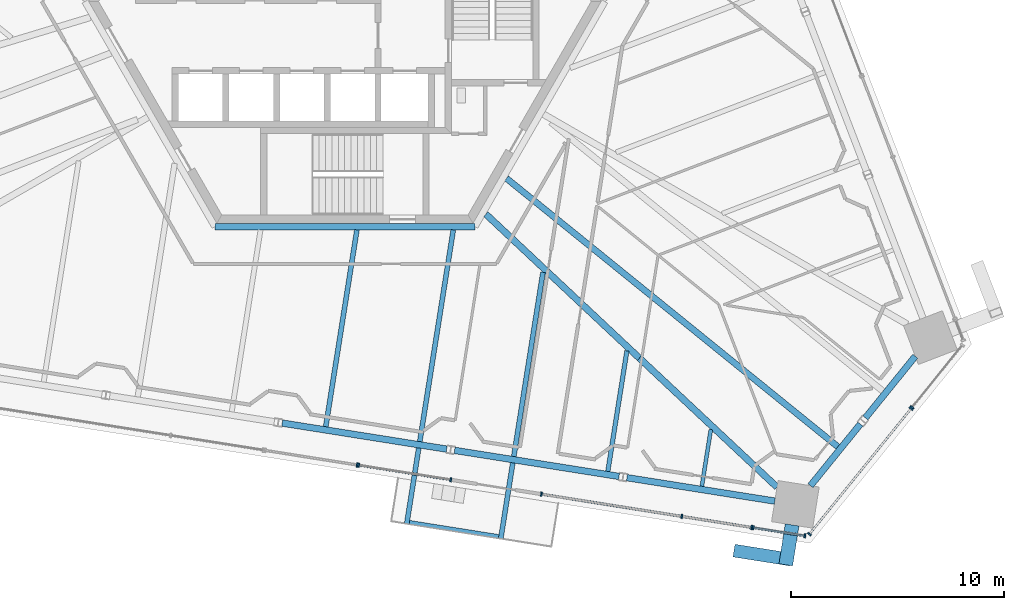
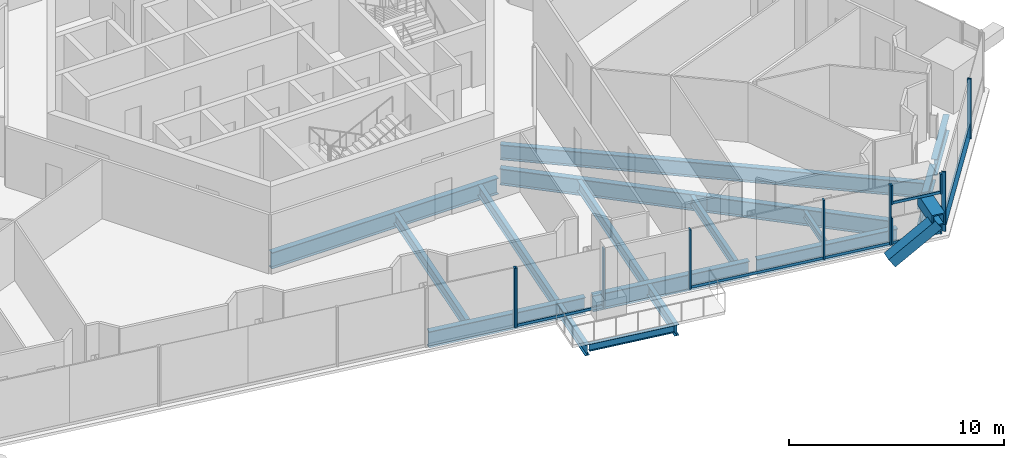
# One storey, part 6 of 23: 21 members, 17 beams, 7 elements without a shape of their own.
"""IFC4 building model written with IfcOpenShell, lengths in metres."""

from ifc_helpers import new_model, si_unit, direction, frame, origin, origin_2d, place, context, subcontext, project, spatial, rectangle, hollow_rectangle, i_section, extrude, source, transform, mapped, material, material_profile, profile_set, type_object, element, aggregate, save


model = new_model("IFC4")

# Units and contexts
model_context = context("Model", 3, precision=1e-05, world=origin(), true_north=direction((0.0, 1.0)))
body_context = subcontext(model_context, "Body", "Model", "MODEL_VIEW")
ifc_project = project(units=[si_unit("LENGTHUNIT", "METRE"), si_unit("AREAUNIT", "SQUARE_METRE"), si_unit("VOLUMEUNIT", "CUBIC_METRE"), si_unit("PLANEANGLEUNIT", "RADIAN"), si_unit("MASSUNIT", "GRAM", prefix="KILO")], contexts=[model_context])

# Site, building, storey
site_placement = place(None, origin())
site = spatial("IfcSite", under=ifc_project, at=site_placement, CompositionType="ELEMENT")
building_placement = place(site_placement, origin())
building = spatial("IfcBuilding", under=site, at=building_placement, Name="Triune Harvest Tower", CompositionType="ELEMENT")
storey_placement = place(building_placement, frame((0.0, 0.0, 171.300048828125)))
storey = spatial("IfcBuildingStorey", under=building, at=storey_placement, Name="L44", CompositionType="ELEMENT", Elevation=171.300048828125)

# Curtain wall, member
ifc_material_1 = material(Name="Aluminium bronze anodised", Category="aluminium")
curtain_wall_type_1 = type_object("IfcCurtainWallType", Name="CW-10 Balcony window wall with insulated spandrel infill", PredefinedType="NOTDEFINED", material=ifc_material_1)
curtain_wall_1_placement = place(storey_placement, origin())
curtain_wall_1 = element("IfcCurtainWall", 1, at=curtain_wall_1_placement, inside=storey, type_object=curtain_wall_type_1, Name="CW-10 B4-F5 L44 run 2")
ifc_material_2 = material(Name="Aluminium bronze anodised", Category="aluminium")
ifc_material_profile_1 = material_profile(ifc_material_2, rectangle(XDim=0.090087890625, YDim=0.14990234375, at=origin_2d()), Name="TR-6 transom 90 x 150")
ifc_profile_set_1 = profile_set([ifc_material_profile_1], Name="Aluminium bronze anodised")
member_type_1 = type_object("IfcMemberType", Name="TR-6 transom 90 x 150", PredefinedType="USERDEFINED", material=ifc_profile_set_1)
member_1_placement = place(storey_placement, frame((15.81689453125, -24.121826171875, 0.074951171875), z_axis=(0.987683894578, -0.156462533506, 0.0), x_axis=(0.156462533506, 0.987683894578, 0.0)))
member_1 = element("IfcMember", 2, at=member_1_placement, type_object=member_type_1, Name="CW-10 transom B4-F5 2.2", ObjectType="TRANSOM", PredefinedType="USERDEFINED", context=body_context, shape_type="SweptSolid", body=[
    extrude(rectangle(XDim=0.090087890625, YDim=0.14990234375, at=origin_2d()), origin(), (0.0, 0.0, 1.0), 3.234619140625),
])

# Beams
ifc_material_3 = material(Name="Steel ASTM A992 Gr 50", Category="steel")
ifc_material_profile_2 = material_profile(ifc_material_3, i_section(OverallWidth=0.3046875, OverallDepth=0.914306640625, WebThickness=0.0166015625, FlangeThickness=0.02587890625, at=origin_2d()), Name="W36x160")
ifc_profile_set_2 = profile_set([ifc_material_profile_2], Name="Steel ASTM A992 Gr 50")
beam_type_1 = type_object("IfcBeamType", Name="CG-1 Core ring girder W36x160", PredefinedType="BEAM", material=ifc_profile_set_2)
shared_shape_1 = source(origin(), body_context, "Body", "SweptSolid", [
    extrude(i_section(OverallWidth=0.3046875, OverallDepth=0.914306640625, WebThickness=0.0166015625, FlangeThickness=0.02587890625, at=origin_2d()), origin(), (0.0, 0.0, 1.0), 12.17578125),
])
beam_1_placement = place(storey_placement, frame((-6.087890625, -10.544677734375, -0.6171875), z_axis=(1.0, 0.0, 0.0), x_axis=(0.0, 1.0, 0.0)))
element("IfcBeam", 3, at=beam_1_placement, inside=storey, type_object=beam_type_1, Name="beam/L44/CG5", PredefinedType="BEAM", context=body_context, shape_type="MappedRepresentation", body=[
    mapped(shared_shape_1, transform((0.0, 0.0, 0.0), scale=1.0)),
])
ifc_material_4 = material(Name="Steel ASTM A992 Gr 50", Category="steel")
ifc_material_profile_3 = material_profile(ifc_material_4, i_section(OverallWidth=0.307373046875, OverallDepth=0.922119140625, WebThickness=0.018310546875, FlangeThickness=0.030029296875, at=origin_2d()), Name="W36x182")
ifc_profile_set_3 = profile_set([ifc_material_profile_3], Name="Steel ASTM A992 Gr 50")
beam_type_2 = type_object("IfcBeamType", Name="HG-2 Hip girder W36x182", PredefinedType="BEAM", material=ifc_profile_set_3)
shared_shape_2 = source(origin(), body_context, "Body", "SweptSolid", [
    extrude(i_section(OverallWidth=0.307373046875, OverallDepth=0.922119140625, WebThickness=0.018310546875, FlangeThickness=0.030029296875, at=origin_2d()), origin(), (0.0, 0.0, 1.0), 9.85888671875),
])
beam_2_placement = place(storey_placement, frame((13.794189453125, -16.702392578125, -0.62109375), z_axis=(-0.729486233367, 0.683995493646, 0.0), x_axis=(-0.683995493646, -0.729486233367, 0.0)))
element("IfcBeam", 4, at=beam_2_placement, inside=storey, type_object=beam_type_2, Name="beam/L44/HG8", PredefinedType="BEAM", context=body_context, shape_type="MappedRepresentation", body=[
    mapped(shared_shape_2, transform((0.0, 0.0, 0.0), scale=1.0)),
])
ifc_material_5 = material(Name="Steel ASTM A992 Gr 50", Category="steel")
ifc_material_profile_4 = material_profile(ifc_material_5, i_section(OverallWidth=0.3046875, OverallDepth=0.914306640625, WebThickness=0.0166015625, FlangeThickness=0.02587890625, at=origin_2d()), Name="W36x160")
ifc_profile_set_4 = profile_set([ifc_material_profile_4], Name="Steel ASTM A992 Gr 50")
beam_type_3 = type_object("IfcBeamType", Name="SB-1 Spandrel beam W36x160", PredefinedType="SPANDREL", material=ifc_profile_set_4)
shared_shape_3 = source(origin(), body_context, "Body", "SweptSolid", [
    extrude(i_section(OverallWidth=0.3046875, OverallDepth=0.914306640625, WebThickness=0.0166015625, FlangeThickness=0.02587890625, at=origin_2d()), origin(), (0.0, 0.0, 1.0), 7.013427734375),
])
beam_3_placement = place(storey_placement, frame((13.210205078125, -22.302978515625, -0.6171875), z_axis=(0.987687489289, -0.156439839878, 0.0), x_axis=(0.156439839878, 0.987687489289, 0.0)))
element("IfcBeam", 5, at=beam_3_placement, inside=storey, type_object=beam_type_3, Name="beam/L44/SB22", PredefinedType="SPANDREL", context=body_context, shape_type="MappedRepresentation", body=[
    mapped(shared_shape_3, transform((0.0, 0.0, 0.0), scale=1.0)),
])
shared_shape_4 = source(origin(), body_context, "Body", "SweptSolid", [
    extrude(i_section(OverallWidth=0.3046875, OverallDepth=0.914306640625, WebThickness=0.0166015625, FlangeThickness=0.02587890625, at=origin_2d()), origin(), (0.0, 0.0, 1.0), 3.71240234375),
])
beam_4_placement = place(storey_placement, frame((21.808837890625, -22.677734375, -0.6171875), z_axis=(0.629351453127, 0.777120806855, 0.0), x_axis=(-0.777120806855, 0.629351453127, 0.0)))
element("IfcBeam", 6, at=beam_4_placement, inside=storey, type_object=beam_type_3, Name="beam/L44/SB23", PredefinedType="SPANDREL", context=body_context, shape_type="MappedRepresentation", body=[
    mapped(shared_shape_4, transform((0.0, 0.0, 0.0), scale=1.0)),
])
shared_shape_5 = source(origin(), body_context, "Body", "SweptSolid", [
    extrude(i_section(OverallWidth=0.3046875, OverallDepth=0.914306640625, WebThickness=0.0166015625, FlangeThickness=0.02587890625, at=origin_2d()), origin(), (0.0, 0.0, 1.0), 7.801513671875),
])
beam_5_placement = place(storey_placement, frame((5.135986328125, -21.024169921875, -0.6171875), z_axis=(0.98768800071, -0.156436610974, 0.0), x_axis=(0.156436610974, 0.98768800071, 0.0)))
element("IfcBeam", 7, at=beam_5_placement, inside=storey, type_object=beam_type_3, Name="beam/L44/SB21", PredefinedType="SPANDREL", context=body_context, shape_type="MappedRepresentation", body=[
    mapped(shared_shape_5, transform((0.0, 0.0, 0.0), scale=1.0)),
])
shared_shape_6 = source(origin(), body_context, "Body", "SweptSolid", [
    extrude(i_section(OverallWidth=0.3046875, OverallDepth=0.914306640625, WebThickness=0.0166015625, FlangeThickness=0.02587890625, at=origin_2d()), origin(), (0.0, 0.0, 1.0), 3.712646484375),
])
beam_6_placement = place(storey_placement, frame((24.380126953125, -19.50244140625, -0.6171875), z_axis=(0.629319290748, 0.777146852462, 0.0), x_axis=(-0.777146852462, 0.629319290748, 0.0)))
element("IfcBeam", 8, at=beam_6_placement, inside=storey, type_object=beam_type_3, Name="beam/L44/SB24", PredefinedType="SPANDREL", context=body_context, shape_type="MappedRepresentation", body=[
    mapped(shared_shape_6, transform((0.0, 0.0, 0.0), scale=1.0)),
])
shared_shape_7 = source(origin(), body_context, "Body", "SweptSolid", [
    extrude(i_section(OverallWidth=0.3046875, OverallDepth=0.914306640625, WebThickness=0.0166015625, FlangeThickness=0.02587890625, at=origin_2d()), origin(), (0.0, 0.0, 1.0), 7.80126953125),
])
beam_7_placement = place(storey_placement, frame((-2.938232421875, -19.745361328125, -0.6171875), z_axis=(0.987687234845, -0.15644144631, 0.0), x_axis=(0.15644144631, 0.987687234845, 0.0)))
element("IfcBeam", 9, at=beam_7_placement, inside=storey, type_object=beam_type_3, Name="beam/L44/SB20", PredefinedType="SPANDREL", context=body_context, shape_type="MappedRepresentation", body=[
    mapped(shared_shape_7, transform((0.0, 0.0, 0.0), scale=1.0)),
])
shared_shape_8 = source(origin(), body_context, "Body", "SweptSolid", [
    extrude(i_section(OverallWidth=0.307373046875, OverallDepth=0.922119140625, WebThickness=0.018310546875, FlangeThickness=0.030029296875, at=origin_2d()), origin(), (0.0, 0.0, 1.0), 8.8369140625),
])
beam_8_placement = place(storey_placement, frame((20.24072265625, -22.746826171875, -0.62109375), z_axis=(-0.729491540387, 0.683989833626, 0.0), x_axis=(-0.683989833626, -0.729491540387, 0.0)))
element("IfcBeam", 10, at=beam_8_placement, inside=storey, type_object=beam_type_2, Name="beam/L44/HG7", PredefinedType="BEAM", context=body_context, shape_type="MappedRepresentation", body=[
    mapped(shared_shape_8, transform((0.0, 0.0, 0.0), scale=1.0)),
])
ifc_material_6 = material(Name="Steel ASTM A992 Gr 50", Category="steel")
ifc_material_profile_5 = material_profile(ifc_material_6, i_section(OverallWidth=0.2919921875, OverallDepth=0.8583984375, WebThickness=0.01708984375, FlangeThickness=0.031005859375, at=origin_2d()), Name="W33x169")
ifc_profile_set_5 = profile_set([ifc_material_profile_5], Name="Steel ASTM A992 Gr 50")
beam_type_4 = type_object("IfcBeamType", Name="JT-7 Floor joist W33x169", PredefinedType="JOIST", material=ifc_profile_set_5)
shared_shape_9 = source(origin(), body_context, "Body", "SweptSolid", [
    extrude(i_section(OverallWidth=0.2919921875, OverallDepth=0.8583984375, WebThickness=0.01708984375, FlangeThickness=0.031005859375, at=origin_2d()), origin(), (0.0, 0.0, 1.0), 19.97216796875),
])
beam_9_placement = place(storey_placement, frame((23.090087890625, -20.853515625, -0.58935546875), z_axis=(-0.777140102023, 0.629327626779, 0.0), x_axis=(-0.629327626779, -0.777140102023, 0.0)))
element("IfcBeam", 11, at=beam_9_placement, inside=storey, type_object=beam_type_4, Name="beam/L44/JT35", PredefinedType="JOIST", context=body_context, shape_type="MappedRepresentation", body=[
    mapped(shared_shape_9, transform((0.0, 0.0, 0.0), scale=1.0)),
])
ifc_material_7 = material(Name="Steel ASTM A992 Gr 50", Category="steel")
ifc_material_profile_6 = material_profile(ifc_material_7, i_section(OverallWidth=0.22900390625, OverallDepth=0.612060546875, WebThickness=0.011962890625, FlangeThickness=0.01953125, at=origin_2d()), Name="W24x84")
ifc_profile_set_6 = profile_set([ifc_material_profile_6], Name="Steel ASTM A992 Gr 50")
beam_type_5 = type_object("IfcBeamType", Name="JT-3 Floor joist W24x84", PredefinedType="JOIST", material=ifc_profile_set_6)
shared_shape_10 = source(origin(), body_context, "Body", "SweptSolid", [
    extrude(i_section(OverallWidth=0.22900390625, OverallDepth=0.612060546875, WebThickness=0.011962890625, FlangeThickness=0.01953125, at=origin_2d()), origin(), (0.0, 0.0, 1.0), 9.332275390625),
])
beam_10_placement = place(storey_placement, frame((-0.896728515625, -19.914306640625, -0.466064453125), z_axis=(0.156417974358, 0.987690952321, 0.0), x_axis=(-0.987690952321, 0.156417974358, 0.0)))
element("IfcBeam", 12, at=beam_10_placement, inside=storey, type_object=beam_type_5, Name="beam/L44/JT30", PredefinedType="JOIST", context=body_context, shape_type="MappedRepresentation", body=[
    mapped(shared_shape_10, transform((0.0, 0.0, 0.0), scale=1.0)),
])
shared_shape_11 = source(origin(), body_context, "Body", "SweptSolid", [
    extrude(i_section(OverallWidth=0.22900390625, OverallDepth=0.612060546875, WebThickness=0.011962890625, FlangeThickness=0.01953125, at=origin_2d()), origin(), (0.0, 0.0, 1.0), 10.03857421875),
])
beam_11_placement = place(storey_placement, frame((3.50732421875, -20.612060546875, -0.466064453125), z_axis=(0.156427136615, 0.987689501276, 0.0), x_axis=(-0.987689501276, 0.156427136615, 0.0)))
element("IfcBeam", 13, at=beam_11_placement, inside=storey, type_object=beam_type_5, Name="beam/L44/JT31", PredefinedType="JOIST", context=body_context, shape_type="MappedRepresentation", body=[
    mapped(shared_shape_11, transform((0.0, 0.0, 0.0), scale=1.0)),
])
shared_shape_12 = source(origin(), body_context, "Body", "SweptSolid", [
    extrude(i_section(OverallWidth=0.22900390625, OverallDepth=0.612060546875, WebThickness=0.011962890625, FlangeThickness=0.01953125, at=origin_2d()), origin(), (0.0, 0.0, 1.0), 8.73828125),
])
beam_12_placement = place(storey_placement, frame((7.91162109375, -21.3095703125, -0.466064453125), z_axis=(0.156433147227, 0.987688549315, 0.0), x_axis=(-0.987688549315, 0.156433147227, 0.0)))
element("IfcBeam", 14, at=beam_12_placement, inside=storey, type_object=beam_type_5, Name="beam/L44/JT32", PredefinedType="JOIST", context=body_context, shape_type="MappedRepresentation", body=[
    mapped(shared_shape_12, transform((0.0, 0.0, 0.0), scale=1.0)),
])
ifc_material_8 = material(Name="Steel ASTM A992 Gr 50", Category="steel")
ifc_material_profile_7 = material_profile(ifc_material_8, i_section(OverallWidth=0.2099609375, OverallDepth=0.535888671875, WebThickness=0.010986328125, FlangeThickness=0.017333984375, at=origin_2d()), Name="W21x68")
ifc_profile_set_7 = profile_set([ifc_material_profile_7], Name="Steel ASTM A992 Gr 50")
beam_type_6 = type_object("IfcBeamType", Name="JT-2 Floor joist W21x68", PredefinedType="JOIST", material=ifc_profile_set_7)
shared_shape_13 = source(origin(), body_context, "Body", "SweptSolid", [
    extrude(i_section(OverallWidth=0.2099609375, OverallDepth=0.535888671875, WebThickness=0.010986328125, FlangeThickness=0.017333984375, at=origin_2d()), origin(), (0.0, 0.0, 1.0), 5.712646484375),
])
beam_13_placement = place(storey_placement, frame((12.315673828125, -22.007080078125, -0.427978515625), z_axis=(0.156458528862, 0.98768452896, 0.0), x_axis=(-0.98768452896, 0.156458528862, 0.0)))
element("IfcBeam", 15, at=beam_13_placement, inside=storey, type_object=beam_type_6, Name="beam/L44/JT33", PredefinedType="JOIST", context=body_context, shape_type="MappedRepresentation", body=[
    mapped(shared_shape_13, transform((0.0, 0.0, 0.0), scale=1.0)),
])
ifc_material_9 = material(Name="Steel ASTM A992 Gr 50", Category="steel")
ifc_material_profile_8 = material_profile(ifc_material_9, i_section(OverallWidth=0.180908203125, OverallDepth=0.41650390625, WebThickness=0.010986328125, FlangeThickness=0.01806640625, at=origin_2d()), Name="W16x57")
ifc_profile_set_8 = profile_set([ifc_material_profile_8], Name="Steel ASTM A992 Gr 50")
beam_type_7 = type_object("IfcBeamType", Name="JT-1 Floor joist W16x57", PredefinedType="JOIST", material=ifc_profile_set_8)
shared_shape_14 = source(origin(), body_context, "Body", "SweptSolid", [
    extrude(i_section(OverallWidth=0.180908203125, OverallDepth=0.41650390625, WebThickness=0.010986328125, FlangeThickness=0.01806640625, at=origin_2d()), origin(), (0.0, 0.0, 1.0), 2.6875),
])
beam_14_placement = place(storey_placement, frame((16.719970703125, -22.70458984375, -0.368408203125), z_axis=(0.156438396813, 0.987687717856, 0.0), x_axis=(-0.987687717856, 0.156438396813, 0.0)))
element("IfcBeam", 16, at=beam_14_placement, inside=storey, type_object=beam_type_7, Name="beam/L44/JT34", PredefinedType="JOIST", context=body_context, shape_type="MappedRepresentation", body=[
    mapped(shared_shape_14, transform((0.0, 0.0, 0.0), scale=1.0)),
])

# Members
ifc_material_10 = material(Name="Steel ASTM A572 Gr 50", Category="steel")
ifc_material_profile_9 = material_profile(ifc_material_10, hollow_rectangle(XDim=0.60009765625, YDim=0.60009765625, WallThickness=0.0400390625, at=origin_2d()), Name="Box 600x600x40")
ifc_profile_set_9 = profile_set([ifc_material_profile_9], Name="Steel ASTM A572 Gr 50")
member_type_2 = type_object("IfcMemberType", Name="BR-2 Brace Box 600x600x40", PredefinedType="BRACE", material=ifc_profile_set_9)
shared_shape_15 = source(origin(), body_context, "Body", "SweptSolid", [
    extrude(hollow_rectangle(XDim=0.60009765625, YDim=0.60009765625, WallThickness=0.0400390625, at=origin_2d()), origin(), (0.0, 0.0, 1.0), 2.832763671875),
])
member_2_placement = place(storey_placement, frame((18.39404296875, -25.7451171875, 0.0), z_axis=(0.812349210694, -0.128669358324, 0.568799574642), x_axis=(0.156441443071, 0.987687235358, 0.0)))
element("IfcMember", 17, at=member_2_placement, inside=storey, type_object=member_type_2, Name="brace/B4-F5/d1/10", PredefinedType="BRACE", context=body_context, shape_type="MappedRepresentation", body=[
    mapped(shared_shape_15, transform((0.0, 0.0, 0.0), scale=1.0)),
])
ifc_material_11 = material(Name="Steel ASTM A572 Gr 50", Category="steel")
ifc_material_profile_10 = material_profile(ifc_material_11, hollow_rectangle(XDim=0.64990234375, YDim=0.64990234375, WallThickness=0.070068359375, at=origin_2d()), Name="Box 650x650x70")
ifc_profile_set_10 = profile_set([ifc_material_profile_10], Name="Steel ASTM A572 Gr 50")
member_type_3 = type_object("IfcMemberType", Name="BS-1 Brace stub Box 650x650x70", PredefinedType="STRUT", material=ifc_profile_set_10)
shared_shape_16 = source(origin(), body_context, "Body", "SweptSolid", [
    extrude(hollow_rectangle(XDim=0.64990234375, YDim=0.64990234375, WallThickness=0.070068359375, at=origin_2d()), origin(), (0.0, 0.0, 1.0), 1.8935546875),
])
member_3_placement = place(storey_placement, frame((20.94775390625, -24.515625, 1.875), z_axis=(-0.156386270058, -0.987695972725, 0.0), x_axis=(0.987695972725, -0.156386270058, 0.0)))
element("IfcMember", 18, at=member_3_placement, inside=storey, type_object=member_type_3, Name="brace/B4-F5/stub2", PredefinedType="STRUT", context=body_context, shape_type="MappedRepresentation", body=[
    mapped(shared_shape_16, transform((0.0, 0.0, 0.0), scale=1.0)),
])

# Beams
ifc_material_12 = material(Name="Steel ASTM A992 Gr 50", Category="steel")
ifc_material_profile_11 = material_profile(ifc_material_12, i_section(OverallWidth=0.22900390625, OverallDepth=0.612060546875, WebThickness=0.011962890625, FlangeThickness=0.01953125, at=origin_2d()), Name="W24x84")
ifc_profile_set_11 = profile_set([ifc_material_profile_11], Name="Steel ASTM A992 Gr 50")
beam_type_8 = type_object("IfcBeamType", Name="BJ-3 Balcony cantilever joist W24x84", PredefinedType="JOIST", material=ifc_profile_set_11)
shared_shape_17 = source(origin(), body_context, "Body", "SweptSolid", [
    extrude(i_section(OverallWidth=0.22900390625, OverallDepth=0.612060546875, WebThickness=0.011962890625, FlangeThickness=0.01953125, at=origin_2d()), origin(), (0.0, 0.0, 1.0), 3.59765625),
])
beam_15_placement = place(storey_placement, frame((7.864013671875, -21.610595703125, -0.466064453125), z_axis=(-0.156492249856, -0.987679186647, 0.0), x_axis=(0.987679186647, -0.156492249856, 0.0)))
element("IfcBeam", 19, at=beam_15_placement, inside=storey, type_object=beam_type_8, Name="Balcony cantilever joist B4-F5 L44.9a", PredefinedType="JOIST", context=body_context, shape_type="MappedRepresentation", body=[
    mapped(shared_shape_17, transform((0.0, 0.0, 0.0), scale=1.0)),
])
shared_shape_18 = source(origin(), body_context, "Body", "SweptSolid", [
    extrude(i_section(OverallWidth=0.22900390625, OverallDepth=0.612060546875, WebThickness=0.011962890625, FlangeThickness=0.01953125, at=origin_2d()), origin(), (0.0, 0.0, 1.0), 3.597412109375),
])
beam_16_placement = place(storey_placement, frame((3.459716796875, -20.9130859375, -0.466064453125), z_axis=(-0.156426047682, -0.987689673737, 0.0), x_axis=(0.987689673737, -0.156426047682, 0.0)))
element("IfcBeam", 20, at=beam_16_placement, inside=storey, type_object=beam_type_8, Name="Balcony cantilever joist B4-F5 L44.9b", PredefinedType="JOIST", context=body_context, shape_type="MappedRepresentation", body=[
    mapped(shared_shape_18, transform((0.0, 0.0, 0.0), scale=1.0)),
])

# Curtain wall, members
ifc_material_13 = material(Name="Aluminium bronze anodised", Category="aluminium")
curtain_wall_type_2 = type_object("IfcCurtainWallType", Name="CW-6 Balcony window wall", PredefinedType="NOTDEFINED", material=ifc_material_13)
curtain_wall_2_placement = place(storey_placement, origin())
curtain_wall_2 = element("IfcCurtainWall", 21, at=curtain_wall_2_placement, inside=storey, type_object=curtain_wall_type_2, Name="CW-6 B4-F5 L44 run 202")
ifc_material_14 = material(Name="Aluminium bronze anodised", Category="aluminium")
ifc_material_profile_12 = material_profile(ifc_material_14, rectangle(XDim=0.199951171875, YDim=0.074951171875, at=origin_2d()), Name="MU-6 mullion 75 x 200")
ifc_profile_set_12 = profile_set([ifc_material_profile_12], Name="Aluminium bronze anodised")
member_type_4 = type_object("IfcMemberType", Name="MU-6 mullion 75 x 200", PredefinedType="MULLION", material=ifc_profile_set_12)
shared_shape_19 = source(origin(), body_context, "Body", "SweptSolid", [
    extrude(rectangle(XDim=0.199951171875, YDim=0.074951171875, at=origin_2d()), origin(), (0.0, 0.0, 1.0), 1.114990234375),
])
member_4_placement = place(storey_placement, frame((19.123046875, -24.6455078125, 2.260009765625), z_axis=(0.0, 0.0, 1.0), x_axis=(0.156437248337, 0.98768789976, 0.0)))
member_4 = element("IfcMember", 22, at=member_4_placement, type_object=member_type_4, Name="CW-6 mullion B4-F5 202.1", PredefinedType="MULLION", context=body_context, shape_type="MappedRepresentation", body=[
    mapped(shared_shape_19, transform((0.0, 0.0, 0.0), scale=1.0)),
])
member_5_placement = place(storey_placement, frame((21.549072265625, -25.02978515625, 2.260009765625), z_axis=(0.0, 0.0, 1.0), x_axis=(0.156437248337, 0.98768789976, 0.0)))
member_5 = element("IfcMember", 23, at=member_5_placement, type_object=member_type_4, Name="CW-6 mullion B4-F5 202.2", PredefinedType="MULLION", context=body_context, shape_type="MappedRepresentation", body=[
    mapped(shared_shape_19, transform((0.0, 0.0, 0.0), scale=1.0)),
])

# Beam
ifc_material_15 = material(Name="Steel ASTM A992 Gr 50", Category="steel")
ifc_material_profile_13 = material_profile(ifc_material_15, i_section(OverallWidth=0.180908203125, OverallDepth=0.41650390625, WebThickness=0.010986328125, FlangeThickness=0.01806640625, at=origin_2d()), Name="W16x57")
ifc_profile_set_13 = profile_set([ifc_material_profile_13], Name="Steel ASTM A992 Gr 50")
beam_type_9 = type_object("IfcBeamType", Name="BE-1 balcony edge beam W16x57", PredefinedType="BEAM", material=ifc_profile_set_13)
shared_shape_20 = source(origin(), body_context, "Body", "SweptSolid", [
    extrude(i_section(OverallWidth=0.180908203125, OverallDepth=0.41650390625, WebThickness=0.010986328125, FlangeThickness=0.01806640625, at=origin_2d()), origin(), (0.0, 0.0, 1.0), 4.229736328125),
])
beam_17_placement = place(storey_placement, frame((3.0244140625, -24.39501953125, -0.368408203125), z_axis=(0.987690788876, -0.15641900642, 0.0), x_axis=(0.15641900642, 0.987690788876, 0.0)))
element("IfcBeam", 24, at=beam_17_placement, inside=storey, type_object=beam_type_9, Name="Balcony edge beam B4-F5 L44.9", PredefinedType="BEAM", context=body_context, shape_type="MappedRepresentation", body=[
    mapped(shared_shape_20, transform((0.0, 0.0, 0.0), scale=1.0)),
])

# Curtain wall, members
curtain_wall_3_placement = place(storey_placement, origin())
curtain_wall_3 = element("IfcCurtainWall", 25, at=curtain_wall_3_placement, inside=storey, type_object=curtain_wall_type_1, Name="CW-10 B4-F5 L44 run 102")
shared_shape_21 = source(origin(), body_context, "Body", "SweptSolid", [
    extrude(rectangle(XDim=0.199951171875, YDim=0.074951171875, at=origin_2d()), origin(), (0.0, 0.0, 1.0), 1.489990234375),
])
member_6_placement = place(storey_placement, frame((19.123046875, -24.6455078125, 0.0), z_axis=(0.0, 0.0, 1.0), x_axis=(0.156437248337, 0.98768789976, 0.0)))
member_6 = element("IfcMember", 26, at=member_6_placement, type_object=member_type_4, Name="CW-10 mullion B4-F5 102.1", PredefinedType="MULLION", context=body_context, shape_type="MappedRepresentation", body=[
    mapped(shared_shape_21, transform((0.0, 0.0, 0.0), scale=1.0)),
])
member_7_placement = place(storey_placement, frame((21.549072265625, -25.02978515625, 0.0), z_axis=(0.0, 0.0, 1.0), x_axis=(0.156437248337, 0.98768789976, 0.0)))
member_7 = element("IfcMember", 27, at=member_7_placement, type_object=member_type_4, Name="CW-10 mullion B4-F5 102.2", PredefinedType="MULLION", context=body_context, shape_type="MappedRepresentation", body=[
    mapped(shared_shape_21, transform((0.0, 0.0, 0.0), scale=1.0)),
])

# Curtain wall, member
curtain_wall_4_placement = place(storey_placement, origin())
curtain_wall_4 = element("IfcCurtainWall", 28, at=curtain_wall_4_placement, inside=storey, type_object=curtain_wall_type_1, Name="CW-10 B4-F5 L44 run 2201")
shared_shape_22 = source(origin(), body_context, "Body", "SweptSolid", [
    extrude(rectangle(XDim=0.199951171875, YDim=0.074951171875, at=origin_2d()), origin(), (0.0, 0.0, 1.0), 3.375),
])
member_8_placement = place(storey_placement, frame((0.572998046875, -21.70751953125, 0.0), z_axis=(0.0, 0.0, 1.0), x_axis=(0.156422547734, 0.987690228037, 0.0)))
member_8 = element("IfcMember", 29, at=member_8_placement, type_object=member_type_4, Name="CW-10 mullion B4-F5 2201.2", PredefinedType="MULLION", context=body_context, shape_type="MappedRepresentation", body=[
    mapped(shared_shape_22, transform((0.0, 0.0, 0.0), scale=1.0)),
])
aggregate(curtain_wall_4, [member_8])

# Curtain wall, members
curtain_wall_5_placement = place(storey_placement, origin())
curtain_wall_5 = element("IfcCurtainWall", 30, at=curtain_wall_5_placement, inside=storey, type_object=curtain_wall_type_2, Name="CW-6 B4-F5 L44 run 3201")
member_9_placement = place(storey_placement, frame((0.64697265625, -21.71923828125, 0.0), z_axis=(0.0, 0.0, 1.0), x_axis=(0.156447981545, 0.987686199696, 0.0)))
member_9 = element("IfcMember", 31, at=member_9_placement, type_object=member_type_4, Name="CW-6 mullion B4-F5 3201.1", PredefinedType="MULLION", context=body_context, shape_type="MappedRepresentation", body=[
    mapped(shared_shape_22, transform((0.0, 0.0, 0.0), scale=1.0)),
])
member_10_placement = place(storey_placement, frame((4.961181640625, -22.402587890625, 0.0), z_axis=(0.0, 0.0, 1.0), x_axis=(0.156447981545, 0.987686199696, 0.0)))
member_10 = element("IfcMember", 32, at=member_10_placement, type_object=member_type_4, Name="CW-6 mullion B4-F5 3201.2", PredefinedType="MULLION", context=body_context, shape_type="MappedRepresentation", body=[
    mapped(shared_shape_22, transform((0.0, 0.0, 0.0), scale=1.0)),
])

# Member
member_11_placement = place(storey_placement, frame((9.20458984375, -23.07470703125, 0.0), z_axis=(0.0, 0.0, 1.0), x_axis=(0.156432499516, 0.987688651902, 0.0)))
member_11 = element("IfcMember", 33, at=member_11_placement, type_object=member_type_4, Name="CW-10 mullion B4-F5 2.1", PredefinedType="MULLION", context=body_context, shape_type="MappedRepresentation", body=[
    mapped(shared_shape_22, transform((0.0, 0.0, 0.0), scale=1.0)),
])

member_12_placement = place(storey_placement, frame((15.77978515625, -24.115966796875, 0.0), z_axis=(0.0, 0.0, 1.0), x_axis=(0.156432499516, 0.987688651902, 0.0)))
member_12 = element("IfcMember", 34, at=member_12_placement, type_object=member_type_4, Name="CW-10 mullion B4-F5 2.3", PredefinedType="MULLION", context=body_context, shape_type="MappedRepresentation", body=[
    mapped(shared_shape_22, transform((0.0, 0.0, 0.0), scale=1.0)),
])

member_13_placement = place(storey_placement, frame((19.048828125, -24.6337890625, 0.0), z_axis=(0.0, 0.0, 1.0), x_axis=(0.156432499516, 0.987688651902, 0.0)))
member_13 = element("IfcMember", 35, at=member_13_placement, type_object=member_type_4, Name="CW-10 mullion B4-F5 2.4", PredefinedType="MULLION", context=body_context, shape_type="MappedRepresentation", body=[
    mapped(shared_shape_22, transform((0.0, 0.0, 0.0), scale=1.0)),
])

shared_shape_23 = source(origin(), body_context, "Body", "SweptSolid", [
    extrude(rectangle(XDim=0.090087890625, YDim=0.14990234375, at=origin_2d()), origin(), (0.0, 0.0, 1.0), 6.582275390625),
])
member_14_placement = place(storey_placement, frame((9.241455078125, -23.08056640625, 0.074951171875), z_axis=(0.987691889235, -0.156412058166, 0.0), x_axis=(0.156412058166, 0.987691889235, 0.0)))
member_14 = element("IfcMember", 36, at=member_14_placement, type_object=member_type_1, Name="CW-10 transom B4-F5 2.1", ObjectType="TRANSOM", PredefinedType="USERDEFINED", context=body_context, shape_type="MappedRepresentation", body=[
    mapped(shared_shape_23, transform((0.0, 0.0, 0.0), scale=1.0)),
])

aggregate(curtain_wall_1, [member_11, member_12, member_13, member_14, member_1])

# Curtain wall, members
ifc_material_16 = material(Name="Aluminium bronze anodised", Category="aluminium")
curtain_wall_type_3 = type_object("IfcCurtainWallType", Name="CW-7 Tower stick curtain wall with insulated spandrel infill", PredefinedType="NOTDEFINED", material=ifc_material_16)
curtain_wall_6_placement = place(storey_placement, origin())
curtain_wall_6 = element("IfcCurtainWall", 37, at=curtain_wall_6_placement, inside=storey, type_object=curtain_wall_type_3, Name="CW-7 B4-F6 L44 run 1")
ifc_material_17 = material(Name="Aluminium bronze anodised", Category="aluminium")
ifc_material_profile_14 = material_profile(ifc_material_17, rectangle(XDim=0.199951171875, YDim=0.074951171875, at=origin_2d()), Name="MU-1 mullion 75 x 200")
ifc_profile_set_14 = profile_set([ifc_material_profile_14], Name="Aluminium bronze anodised")
member_type_5 = type_object("IfcMemberType", Name="MU-1 mullion 75 x 200", PredefinedType="MULLION", material=ifc_profile_set_14)
shared_shape_24 = source(origin(), body_context, "Body", "SweptSolid", [
    extrude(rectangle(XDim=0.199951171875, YDim=0.074951171875, at=origin_2d()), origin(), (0.0, 0.0, 1.0), 3.375),
])
member_15_placement = place(storey_placement, frame((21.755126953125, -24.95068359375, 0.0), z_axis=(0.0, 0.0, 1.0), x_axis=(-0.777143734208, 0.629323141464, 0.0)))
member_15 = element("IfcMember", 38, at=member_15_placement, type_object=member_type_5, Name="CW-7 mullion B4-F6 1.1", PredefinedType="MULLION", context=body_context, shape_type="MappedRepresentation", body=[
    mapped(shared_shape_24, transform((0.0, 0.0, 0.0), scale=1.0)),
])
member_16_placement = place(storey_placement, frame((26.521728515625, -19.064453125, 0.0), z_axis=(0.0, 0.0, 1.0), x_axis=(-0.777143734208, 0.629323141464, 0.0)))
member_16 = element("IfcMember", 39, at=member_16_placement, type_object=member_type_5, Name="CW-7 mullion B4-F6 1.3", PredefinedType="MULLION", context=body_context, shape_type="MappedRepresentation", body=[
    mapped(shared_shape_24, transform((0.0, 0.0, 0.0), scale=1.0)),
])

# Curtain wall, member
ifc_material_18 = material(Name="Aluminium bronze anodised", Category="aluminium")
curtain_wall_type_4 = type_object("IfcCurtainWallType", Name="CW-1 Tower stick curtain wall", PredefinedType="NOTDEFINED", material=ifc_material_18)
curtain_wall_7_placement = place(storey_placement, origin())
curtain_wall_7 = element("IfcCurtainWall", 40, at=curtain_wall_7_placement, inside=storey, type_object=curtain_wall_type_4, Name="CW-1 B4-F6 L44 run 1001")
member_17_placement = place(storey_placement, frame((26.569091796875, -19.00634765625, 0.0), z_axis=(0.0, 0.0, 1.0), x_axis=(-0.777149166352, 0.629316433314, 0.0)))
member_17 = element("IfcMember", 41, at=member_17_placement, type_object=member_type_5, Name="CW-1 mullion B4-F6 1001.1", PredefinedType="MULLION", context=body_context, shape_type="MappedRepresentation", body=[
    mapped(shared_shape_24, transform((0.0, 0.0, 0.0), scale=1.0)),
])
aggregate(curtain_wall_7, [member_17])

# Member
ifc_material_19 = material(Name="Aluminium bronze anodised", Category="aluminium")
ifc_material_profile_15 = material_profile(ifc_material_19, rectangle(XDim=0.090087890625, YDim=0.89990234375, at=origin_2d()), Name="TR-1 transom 90 x 900")
ifc_profile_set_15 = profile_set([ifc_material_profile_15], Name="Aluminium bronze anodised")
member_type_6 = type_object("IfcMemberType", Name="TR-1 transom 90 x 900", PredefinedType="USERDEFINED", material=ifc_profile_set_15)
shared_shape_25 = source(origin(), body_context, "Body", "SweptSolid", [
    extrude(rectangle(XDim=0.090087890625, YDim=0.89990234375, at=origin_2d()), origin(), (0.0, 0.0, 1.0), 7.499267578125),
])
member_18_placement = place(storey_placement, frame((21.77880859375, -24.921630859375, 0.449951171875), z_axis=(0.629333079821, 0.777135686121, 0.0), x_axis=(-0.777135686121, 0.629333079821, 0.0)))
member_18 = element("IfcMember", 42, at=member_18_placement, type_object=member_type_6, Name="CW-7 transom B4-F6 1.1", ObjectType="TRANSOM", PredefinedType="USERDEFINED", context=body_context, shape_type="MappedRepresentation", body=[
    mapped(shared_shape_25, transform((0.0, 0.0, 0.0), scale=1.0)),
])

aggregate(curtain_wall_6, [member_15, member_16, member_18])

shared_shape_26 = source(origin(), body_context, "Body", "SweptSolid", [
    extrude(rectangle(XDim=0.090087890625, YDim=0.14990234375, at=origin_2d()), origin(), (0.0, 0.0, 1.0), 4.293212890625),
])
member_19_placement = place(storey_placement, frame((0.68408203125, -21.72509765625, 0.074951171875), z_axis=(0.987686767385, -0.156444397575, 0.0), x_axis=(0.156444397575, 0.987686767385, 0.0)))
member_19 = element("IfcMember", 43, at=member_19_placement, type_object=member_type_1, Name="CW-6 transom B4-F5 3201.1", ObjectType="TRANSOM", PredefinedType="USERDEFINED", context=body_context, shape_type="MappedRepresentation", body=[
    mapped(shared_shape_26, transform((0.0, 0.0, 0.0), scale=1.0)),
])

aggregate(curtain_wall_5, [member_9, member_10, member_19])

shared_shape_27 = source(origin(), body_context, "Body", "SweptSolid", [
    extrude(rectangle(XDim=0.090087890625, YDim=0.14990234375, at=origin_2d()), origin(), (0.0, 0.0, 1.0), 2.38134765625),
])
member_20_placement = place(storey_placement, frame((19.159912109375, -24.6513671875, 0.074951171875), z_axis=(0.987686371531, -0.156446896715, 0.0), x_axis=(0.156446896715, 0.987686371531, 0.0)))
member_20 = element("IfcMember", 44, at=member_20_placement, type_object=member_type_1, Name="CW-10 transom B4-F5 102.1", ObjectType="TRANSOM", PredefinedType="USERDEFINED", context=body_context, shape_type="MappedRepresentation", body=[
    mapped(shared_shape_27, transform((0.0, 0.0, 0.0), scale=1.0)),
])

aggregate(curtain_wall_3, [member_6, member_7, member_20])

member_21_placement = place(storey_placement, frame((19.159912109375, -24.6513671875, 2.3349609375), z_axis=(0.987686371531, -0.156446896715, 0.0), x_axis=(0.156446896715, 0.987686371531, 0.0)))
member_21 = element("IfcMember", 45, at=member_21_placement, type_object=member_type_1, Name="CW-6 transom B4-F5 202.1", ObjectType="TRANSOM", PredefinedType="USERDEFINED", context=body_context, shape_type="MappedRepresentation", body=[
    mapped(shared_shape_27, transform((0.0, 0.0, 0.0), scale=1.0)),
])

aggregate(curtain_wall_2, [member_4, member_5, member_21])

save(model, "model.ifc")
